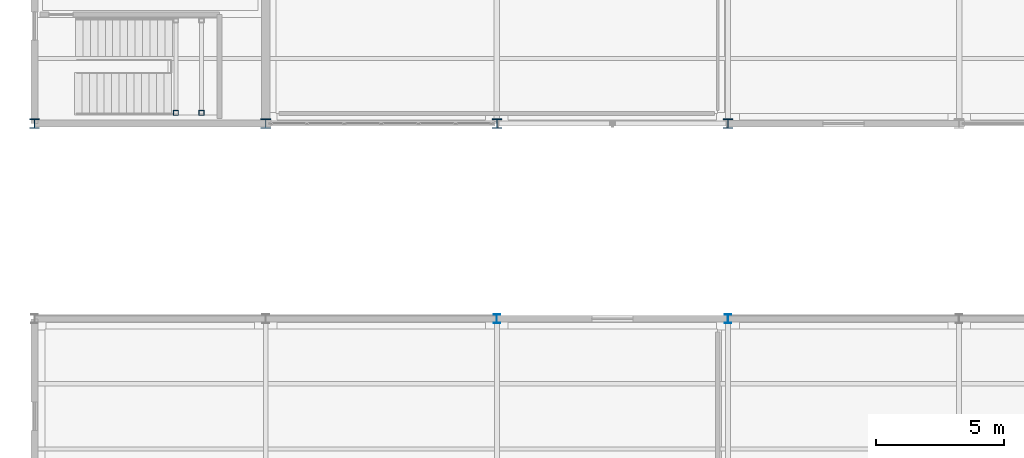
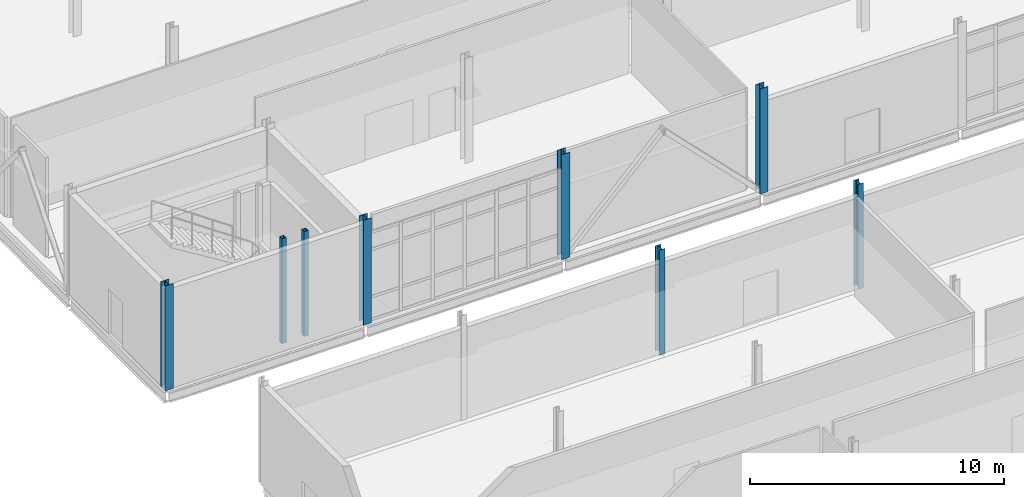
# One storey, part 3 of 161: 8 columns.
"""IFC4 building model written with IfcOpenShell, lengths in metres."""

from ifc_helpers import new_model, si_unit, direction, frame, origin, origin_2d, place, context, subcontext, project, spatial, hollow_rectangle, i_section, extrude, material, material_profile, profile_set, type_object, element, save


model = new_model("IFC4")

# Units and contexts
model_context = context("Model", 3, precision=1e-05, world=origin(), true_north=direction((0.0, 1.0)))
body_context = subcontext(model_context, "Body", "Model", "MODEL_VIEW")
ifc_project = project(units=[si_unit("LENGTHUNIT", "METRE"), si_unit("AREAUNIT", "SQUARE_METRE"), si_unit("VOLUMEUNIT", "CUBIC_METRE"), si_unit("PLANEANGLEUNIT", "RADIAN"), si_unit("MASSUNIT", "GRAM", prefix="KILO")], contexts=[model_context])

# Site, building, storey
site_placement = place(None, origin())
site = spatial("IfcSite", under=ifc_project, at=site_placement, CompositionType="ELEMENT")
building_placement = place(site_placement, origin())
building = spatial("IfcBuilding", under=site, at=building_placement, Name="Caisbarro Railhouse Central Library", CompositionType="ELEMENT")
storey_placement = place(building_placement, origin())
storey = spatial("IfcBuildingStorey", under=building, at=storey_placement, Name="L00", CompositionType="ELEMENT", Elevation=0.0)

# Columns
ifc_material = material(Name="Steel ASTM A572 Grade 50", Category="steel")
ifc_material_profile_1 = material_profile(ifc_material, i_section(OverallWidth=0.37109375, OverallDepth=0.364013671875, WebThickness=0.01318359375, FlangeThickness=0.021728515625, FilletRadius=0.01806640625, at=origin_2d()), Name="W360X162.0")
ifc_profile_set_1 = profile_set([ifc_material_profile_1], Name="Steel ASTM A572 Grade 50")
column_type_1 = type_object("IfcColumnType", Name="COL-C02", PredefinedType="COLUMN", material=ifc_profile_set_1)
for number, where, z_axis, x_axis, name in (
    (1, (0.0, 30.39990234375, 0.0), (0.0, 0.0, 1.0), (1.0, 0.0, 0.0), "C02 column L00 (0.0,30.4)"),
    (2, (9.0, 30.39990234375, 0.0), (0.0, 0.0, 1.0), (1.0, 0.0, 0.0), "C02 column L00 (9.0,30.4)"),
    (3, (18.0, 30.39990234375, 0.0), (0.0, 0.0, 1.0), (1.0, 0.0, 0.0), "C02 column L00 (18.0,30.4)"),
    (4, (27.0, 30.39990234375, 0.0), (0.0, 0.0, 1.0), (1.0, 0.0, 0.0), "C02 column L00 (27.0,30.4)"),
):
    element("IfcColumn", number, at=place(storey_placement, frame(where, z_axis=z_axis, x_axis=x_axis)), inside=storey, type_object=column_type_1, Name=name, PredefinedType="COLUMN", context=body_context, shape_type="SweptSolid", body=[
        extrude(i_section(OverallWidth=0.37109375, OverallDepth=0.364013671875, WebThickness=0.01318359375, FlangeThickness=0.021728515625, FilletRadius=0.01806640625, at=origin_2d()), origin(), (0.0, 0.0, 1.0), 5.0400390625),
    ])
ifc_material_profile_2 = material_profile(ifc_material, i_section(OverallWidth=0.25390625, OverallDepth=0.35302734375, WebThickness=0.009521484375, FlangeThickness=0.016357421875, FilletRadius=0.014892578125, at=origin_2d()), Name="W360X91.0")
ifc_profile_set_2 = profile_set([ifc_material_profile_2], Name="Steel ASTM A572 Grade 50")
column_type_2 = type_object("IfcColumnType", Name="COL-C05", PredefinedType="COLUMN", material=ifc_profile_set_2)
for number, where, z_axis, x_axis, name in (
    (5, (18.0, 22.800048828125, 0.0), (0.0, 0.0, 1.0), (1.0, 0.0, 0.0), "C05 column L00 (18.0,22.8)"),
    (6, (27.0, 22.800048828125, 0.0), (0.0, 0.0, 1.0), (1.0, 0.0, 0.0), "C05 column L00 (27.0,22.8)"),
):
    element("IfcColumn", number, at=place(storey_placement, frame(where, z_axis=z_axis, x_axis=x_axis)), inside=storey, type_object=column_type_2, Name=name, PredefinedType="COLUMN", context=body_context, shape_type="SweptSolid", body=[
        extrude(i_section(OverallWidth=0.25390625, OverallDepth=0.35302734375, WebThickness=0.009521484375, FlangeThickness=0.016357421875, FilletRadius=0.014892578125, at=origin_2d()), origin(), (0.0, 0.0, 1.0), 5.0400390625),
    ])
ifc_material_profile_3 = material_profile(ifc_material, hollow_rectangle(XDim=0.199951171875, YDim=0.199951171875, WallThickness=0.012451171875, at=origin_2d()), Name="HSS200X200X12.5")
ifc_profile_set_3 = profile_set([ifc_material_profile_3], Name="Steel ASTM A572 Grade 50")
column_type_3 = type_object("IfcColumnType", Name="COL-C10", PredefinedType="COLUMN", material=ifc_profile_set_3)
for number, where, z_axis, x_axis, name in (
    (7, (5.5, 30.820068359375, 0.0), (0.0, 0.0, 1.0), (1.0, 0.0, 0.0), "C10 Stair Landing Post K6 L00.1"),
    (8, (6.5, 30.820068359375, 0.0), (0.0, 0.0, 1.0), (1.0, 0.0, 0.0), "C10 Stair Landing Post K6 L00.3"),
):
    element("IfcColumn", number, at=place(storey_placement, frame(where, z_axis=z_axis, x_axis=x_axis)), inside=storey, type_object=column_type_3, Name=name, PredefinedType="COLUMN", context=body_context, shape_type="SweptSolid", body=[
        extrude(hollow_rectangle(XDim=0.199951171875, YDim=0.199951171875, WallThickness=0.012451171875, at=origin_2d()), origin(), (0.0, 0.0, 1.0), 5.0400390625),
    ])

save(model, "model.ifc")
